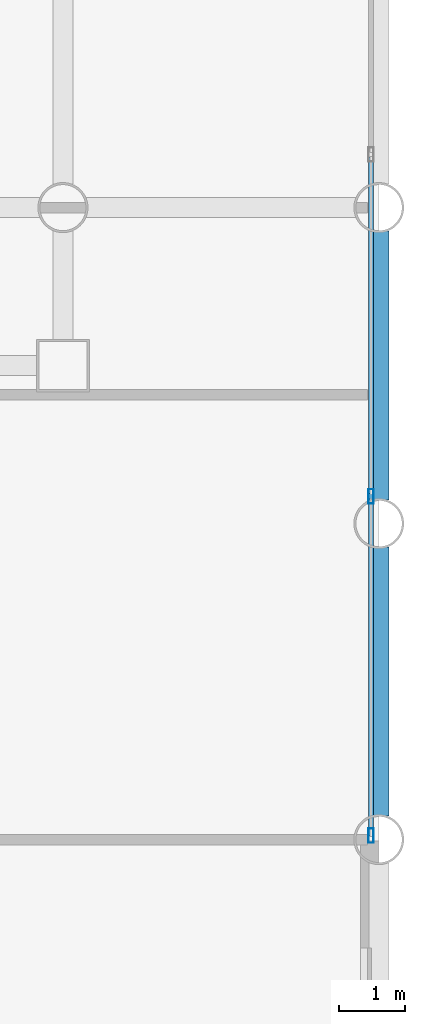
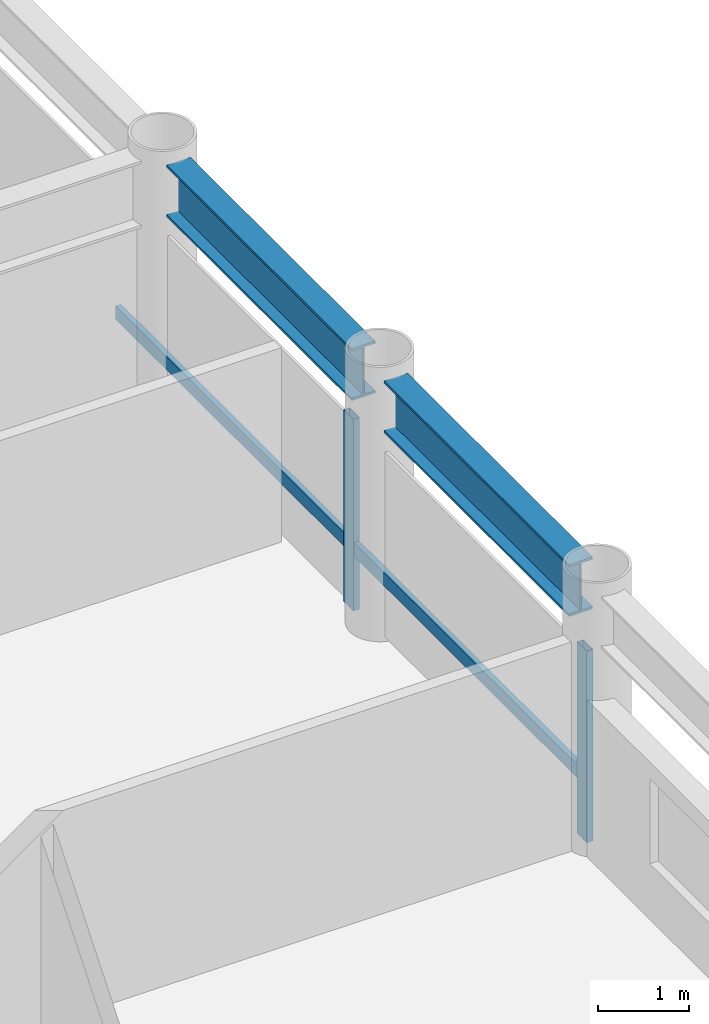
# One storey, part 8 of 22: 4 members, 2 beams, 1 element without a shape of its own.
"""IFC4 building model written with IfcOpenShell, lengths in metres."""

from ifc_helpers import new_model, si_unit, direction, frame, origin, origin_2d, place, context, subcontext, project, spatial, hollow_rectangle, i_section, extrude, material, layer, layer_set, material_profile, profile_set, type_object, element, aggregate, save


model = new_model("IFC4")

# Units and contexts
model_context = context("Model", 3, precision=1e-05, world=origin(), true_north=direction((0.0, 1.0)))
body_context = subcontext(model_context, "Body", "Model", "MODEL_VIEW")
ifc_project = project(units=[si_unit("LENGTHUNIT", "METRE"), si_unit("AREAUNIT", "SQUARE_METRE"), si_unit("VOLUMEUNIT", "CUBIC_METRE"), si_unit("PLANEANGLEUNIT", "RADIAN"), si_unit("MASSUNIT", "GRAM", prefix="KILO")], contexts=[model_context])

# Site, building, storey
site_placement = place(None, origin())
site = spatial("IfcSite", under=ifc_project, at=site_placement, CompositionType="ELEMENT")
building_placement = place(site_placement, origin())
building = spatial("IfcBuilding", under=site, at=building_placement, Name="Kallvorn Hotel Tower", CompositionType="ELEMENT")
storey_placement = place(building_placement, frame((0.0, 0.0, 37.39990234375)))
storey = spatial("IfcBuildingStorey", under=building, at=storey_placement, Name="L07", CompositionType="ELEMENT", Elevation=37.39990234375)

# Beams
ifc_material_1 = material(Name="Structural steel S355JR", Category="steel")
ifc_material_profile_1 = material_profile(ifc_material_1, i_section(OverallWidth=0.300048828125, OverallDepth=0.699951171875, WebThickness=0.01708984375, FlangeThickness=0.031982421875, at=origin_2d()), Name="HE 700 B")
ifc_profile_set_1 = profile_set([ifc_material_profile_1], Name="Structural steel S355JR")
beam_type = type_object("IfcBeamType", Name="BM_HE700B", PredefinedType="BEAM", material=ifc_profile_set_1)
beam_1_placement = place(storey_placement, frame((28.800048828125, 0.35595703125, 3.170166015625), z_axis=(0.0, 1.0, 0.0), x_axis=(-1.0, 0.0, 0.0)))
element("IfcBeam", 1, at=beam_1_placement, inside=storey, type_object=beam_type, Name="L08 Primary Y-Girder 147", PredefinedType="BEAM", context=body_context, shape_type="SweptSolid", body=[
    extrude(i_section(OverallWidth=0.300048828125, OverallDepth=0.699951171875, WebThickness=0.01708984375, FlangeThickness=0.031982421875, at=origin_2d()), origin(), (0.0, 0.0, 1.0), 4.088134765625),
])
beam_2_placement = place(storey_placement, frame((28.800048828125, 5.156005859375, 3.170166015625), z_axis=(0.0, 1.0, 0.0), x_axis=(-1.0, 0.0, 0.0)))
element("IfcBeam", 2, at=beam_2_placement, inside=storey, type_object=beam_type, Name="L08 Primary Y-Girder 148", PredefinedType="BEAM", context=body_context, shape_type="SweptSolid", body=[
    extrude(i_section(OverallWidth=0.300048828125, OverallDepth=0.699951171875, WebThickness=0.01708984375, FlangeThickness=0.031982421875, at=origin_2d()), origin(), (0.0, 0.0, 1.0), 4.087890625),
])

# Curtain wall, members
ifc_material_2 = material(Name="Thermally broken black-anodised aluminium AA 6063-T6", Category="aluminium")
ifc_layer = layer(ifc_material_2, 0.199951171875)
ifc_layer_set = layer_set([ifc_layer], Name="CW_SYS_3_HOTEL_LOW")
curtain_wall_type = type_object("IfcCurtainWallType", Name="CW_SYS_3_HOTEL_LOW", PredefinedType="USERDEFINED", material=ifc_layer_set)
curtain_wall_placement = place(storey_placement, origin())
curtain_wall = element("IfcCurtainWall", 3, at=curtain_wall_placement, inside=storey, type_object=curtain_wall_type, Name="L07 Dark-Glass Curtain Wall CW-L07-EN", ObjectType="UNITISED CURTAIN WALL", PredefinedType="USERDEFINED")
ifc_material_3 = material(Name="Thermally broken black-anodised aluminium AA 6063-T6", Category="aluminium")
ifc_material_profile_2 = material_profile(ifc_material_3, hollow_rectangle(XDim=0.080078125, YDim=0.219970703125, WallThickness=0.0048828125, at=origin_2d()), Name="MUL 220x80")
ifc_profile_set_2 = profile_set([ifc_material_profile_2], Name="Thermally broken black-anodised aluminium AA 6063-T6")
member_type_1 = type_object("IfcMemberType", Name="CW_MULLION_220x80", PredefinedType="MULLION", material=ifc_profile_set_2)
member_1_placement = place(storey_placement, frame((28.679931640625, 0.06005859375, 0.02001953125), z_axis=(0.0, 0.0, 1.0), x_axis=(1.0, 0.0, 0.0)))
member_1 = element("IfcMember", 4, at=member_1_placement, type_object=member_type_1, Name="CW-L07-EN Mullion 00", PredefinedType="MULLION", context=body_context, shape_type="SweptSolid", body=[
    extrude(hollow_rectangle(XDim=0.080078125, YDim=0.219970703125, WallThickness=0.0048828125, at=origin_2d()), origin(), (0.0, 0.0, 1.0), 2.580078125),
])
member_2_placement = place(storey_placement, frame((28.679931640625, 5.21337890625, 0.02001953125), z_axis=(0.0, 0.0, 1.0), x_axis=(1.0, 0.0, 0.0)))
member_2 = element("IfcMember", 5, at=member_2_placement, type_object=member_type_1, Name="CW-L07-EN Mullion 01", PredefinedType="MULLION", context=body_context, shape_type="SweptSolid", body=[
    extrude(hollow_rectangle(XDim=0.080078125, YDim=0.219970703125, WallThickness=0.0048828125, at=origin_2d()), origin(), (0.0, 0.0, 1.0), 2.580078125),
])
ifc_material_4 = material(Name="Thermally broken black-anodised aluminium AA 6063-T6", Category="aluminium")
ifc_material_profile_3 = material_profile(ifc_material_4, hollow_rectangle(XDim=0.070068359375, YDim=0.179931640625, WallThickness=0.00390625, at=origin_2d()), Name="TRN 180x70")
ifc_profile_set_3 = profile_set([ifc_material_profile_3], Name="Thermally broken black-anodised aluminium AA 6063-T6")
member_type_2 = type_object("IfcMemberType", Name="CW_TRANSOM_180x70", PredefinedType="USERDEFINED", material=ifc_profile_set_3)
member_3_placement = place(storey_placement, frame((28.679931640625, 0.06005859375, 0.85009765625), z_axis=(0.0, 1.0, 0.0), x_axis=(-1.0, 0.0, 0.0)))
member_3 = element("IfcMember", 6, at=member_3_placement, type_object=member_type_2, Name="CW-L07-EN Transom 00M", ObjectType="TRANSOM", PredefinedType="USERDEFINED", context=body_context, shape_type="SweptSolid", body=[
    extrude(hollow_rectangle(XDim=0.070068359375, YDim=0.179931640625, WallThickness=0.00390625, at=origin_2d()), origin(), (0.0, 0.0, 1.0), 5.11328125),
])
member_4_placement = place(storey_placement, frame((28.679931640625, 5.25341796875, 0.85009765625), z_axis=(0.0, 1.0, 0.0), x_axis=(-1.0, 0.0, 0.0)))
member_4 = element("IfcMember", 7, at=member_4_placement, type_object=member_type_2, Name="CW-L07-EN Transom 01M", ObjectType="TRANSOM", PredefinedType="USERDEFINED", context=body_context, shape_type="SweptSolid", body=[
    extrude(hollow_rectangle(XDim=0.070068359375, YDim=0.179931640625, WallThickness=0.00390625, at=origin_2d()), origin(), (0.0, 0.0, 1.0), 5.11328125),
])
aggregate(curtain_wall, [member_1, member_2, member_3, member_4])

save(model, "model.ifc")
